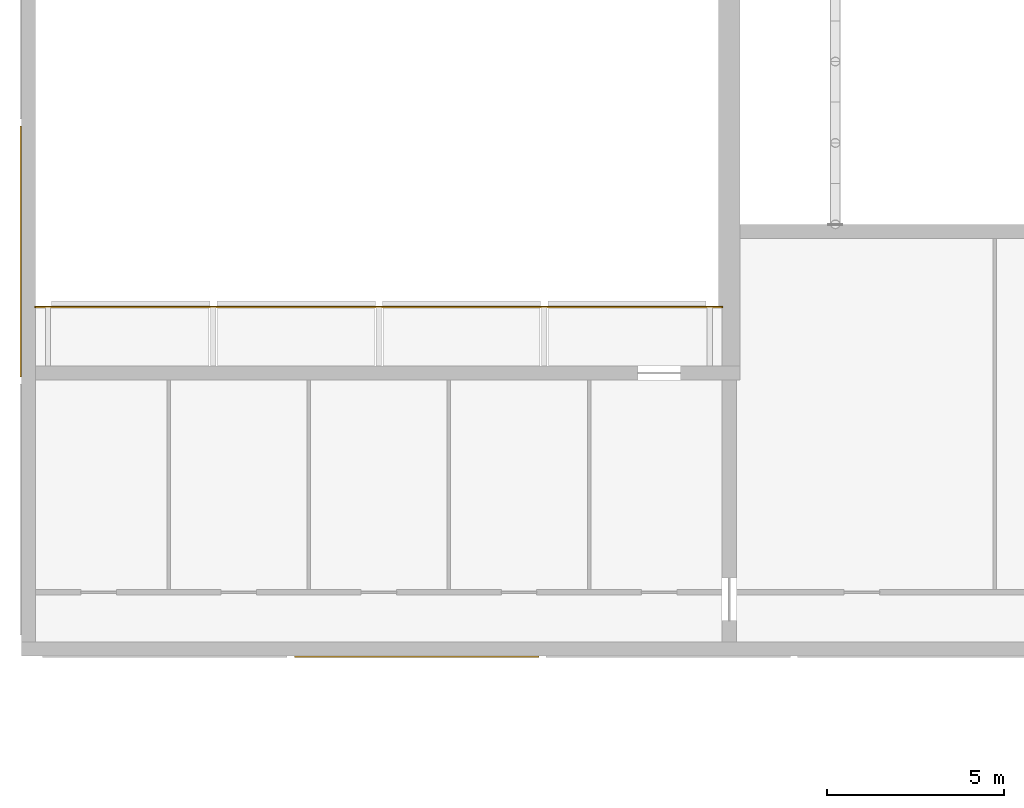
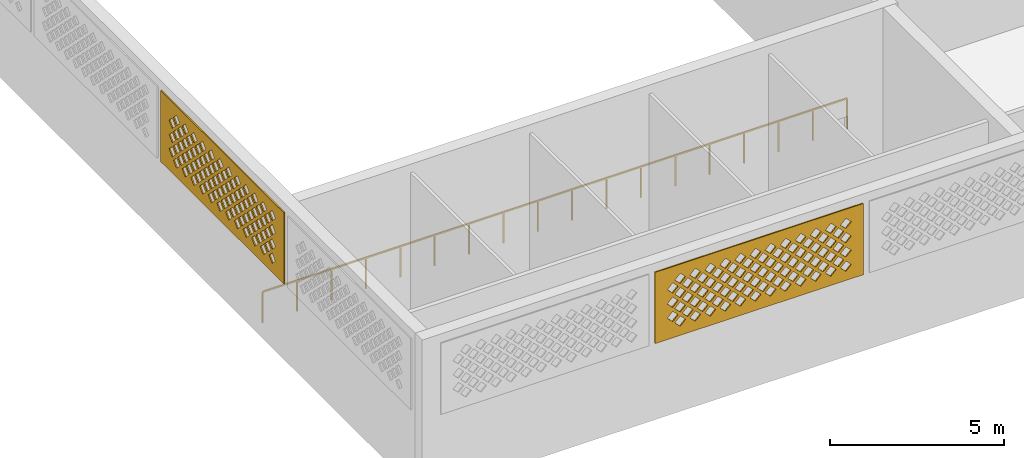
# One storey, part 25 of 69: 2 coverings, 1 railing.
"""IFC4 building model written with IfcOpenShell, lengths in metres."""

import ifcopenshell
import ifcopenshell.guid

model = None  # the IFC model being written
_history = None  # IfcOwnerHistory: only IFC2X3 demands one
_inside = {}  # id of a spatial element -> (the spatial element, [elements in it])
_under = {}  # id of a project, library or spatial element -> (it, [spatial elements below it])
_declared = {}  # id of a project -> (the project, [libraries it declares])
_typed = {}  # id of a type object -> (the type object, [elements of that type])
_made_of = {}  # id of a material, layer set ... -> (it, [elements and type objects made of it])


def new_model(schema):
    """Start an empty IFC model of exactly this schema.

    Asked for "IFC4X3", IfcOpenShell would pick the latest addendum, in which some entities
    have other attributes; the version numbers below select the first issue.
    IFC2X3 requires an IfcOwnerHistory on every rooted entity: one is made here for all.
    """
    global model, _history
    if schema == "IFC4X3":
        model = ifcopenshell.file(schema_version=(4, 3, 0, 0))
    else:
        model = ifcopenshell.file(schema=schema)
    _inside.clear()
    _under.clear()
    _declared.clear()
    _typed.clear()
    _made_of.clear()
    _history = None
    if model.schema == "IFC2X3":
        org = make("IfcOrganization", Name="unknown")
        user = make(
            "IfcPersonAndOrganization",
            ThePerson=make("IfcPerson", FamilyName="unknown"),
            TheOrganization=org,
        )
        app = make(
            "IfcApplication",
            ApplicationDeveloper=org,
            Version="unknown",
            ApplicationFullName="unknown",
            ApplicationIdentifier="unknown",
        )
        _history = make(
            "IfcOwnerHistory",
            OwningUser=user,
            OwningApplication=app,
            ChangeAction="ADDED",
            CreationDate=0,
        )
    return model


def make(cls, **values):
    """One entity of the class cls with the attributes given. An attribute that is None is left unset."""
    return model.create_entity(
        cls, **{name: value for name, value in values.items() if value is not None}
    )


def rooted(cls, **values):
    """An entity with a GlobalId (a new one), such as an element, a storey or a relation."""
    return make(cls, GlobalId=ifcopenshell.guid.new(), OwnerHistory=_history, **values)


def si_unit(unit_type, name, prefix=None):
    """IfcSIUnit, for example si_unit("LENGTHUNIT", "METRE", prefix="MILLI")."""
    return make("IfcSIUnit", UnitType=unit_type, Prefix=prefix, Name=name)


def assignment(units):
    """IfcUnitAssignment: the units of a project."""
    return None if units is None else make("IfcUnitAssignment", Units=units)


def point(xyz):
    """IfcCartesianPoint."""
    return None if xyz is None else make("IfcCartesianPoint", Coordinates=xyz)


def direction(xyz):
    """IfcDirection."""
    return None if xyz is None else make("IfcDirection", DirectionRatios=xyz)


def frame(location, z_axis=None, x_axis=None):
    """IfcAxis2Placement3D, a coordinate frame: its origin and axes. An axis left out is left unset."""
    return make(
        "IfcAxis2Placement3D",
        Location=point(location),
        Axis=direction(z_axis),
        RefDirection=direction(x_axis),
    )


def frame_2d(location, x_axis=None):
    """IfcAxis2Placement2D, a coordinate frame in the plane: its origin and x axis."""
    return make(
        "IfcAxis2Placement2D", Location=point(location), RefDirection=direction(x_axis)
    )


def origin():
    """The frame at (0, 0, 0) with its axes left unset."""
    return frame((0.0, 0.0, 0.0))


def origin_2d():
    """The frame at (0, 0) in the plane with its x axis left unset."""
    return frame_2d((0.0, 0.0))


def place(relative_to, where):
    """IfcLocalPlacement: puts the frame where relative to a parent placement (None: the world)."""
    return make(
        "IfcLocalPlacement", PlacementRelTo=relative_to, RelativePlacement=where
    )


def context(
    kind, dimensions, precision=None, world=None, true_north=None, identifier=None
):
    """IfcGeometricRepresentationContext, for example the 3D "Model" context."""
    return make(
        "IfcGeometricRepresentationContext",
        ContextIdentifier=identifier,
        ContextType=kind,
        CoordinateSpaceDimension=dimensions,
        Precision=precision,
        WorldCoordinateSystem=world,
        TrueNorth=true_north,
    )


def subcontext(parent, identifier, kind, view, scale=None):
    """IfcGeometricRepresentationSubContext, for example "Body" below "Model"."""
    return make(
        "IfcGeometricRepresentationSubContext",
        ContextIdentifier=identifier,
        ContextType=kind,
        ParentContext=parent,
        TargetScale=scale,
        TargetView=view,
    )


def project(units=None, contexts=None):
    """IfcProject with its units and contexts."""
    return rooted(
        "IfcProject",
        Name="project",
        RepresentationContexts=contexts,
        UnitsInContext=assignment(units),
    )


def spatial(cls, under=None, at=None, **own):
    """A site, building, storey or space (cls), placed at a placement, below another one or the project."""
    s = rooted(cls, ObjectPlacement=at, **own)
    if under is not None:
        _under.setdefault(under.id(), (under, []))[1].append(s)
    return s


def polyline(points):
    """IfcPolyline through the points."""
    return make("IfcPolyline", Points=[point(p) for p in points])


def profile(cls, at=None, kind="AREA", **sizes):
    """A parametric profile (cls). Its sizes go by their IFC names, for example OverallWidth=200.0."""
    return make(cls, ProfileType=kind, Position=at, **sizes)


def rectangle(**sizes):
    """IfcRectangleProfileDef."""
    return profile("IfcRectangleProfileDef", **sizes)


def outline(outer, holes=None, kind="AREA"):
    """IfcArbitraryClosedProfileDef: a profile drawn as a closed curve; with holes, ...WithVoids."""
    if holes is None:
        return make("IfcArbitraryClosedProfileDef", ProfileType=kind, OuterCurve=outer)
    return make(
        "IfcArbitraryProfileDefWithVoids",
        ProfileType=kind,
        OuterCurve=outer,
        InnerCurves=holes,
    )


def extrude(swept, where, along, depth):
    """IfcExtrudedAreaSolid: the profile swept, set in the frame where, extruded along a direction by depth."""
    return make(
        "IfcExtrudedAreaSolid",
        SweptArea=swept,
        Position=where,
        ExtrudedDirection=direction(along),
        Depth=depth,
    )


def shape(context_of_items, identifier, shape_type, items):
    """IfcShapeRepresentation: the items that make up one representation, for example the "Body"."""
    return make(
        "IfcShapeRepresentation",
        ContextOfItems=context_of_items,
        RepresentationIdentifier=identifier,
        RepresentationType=shape_type,
        Items=items,
    )


def material(Name=None, Category=None):
    """IfcMaterial."""
    return make("IfcMaterial", Name=Name, Category=Category)


def layer(
    of_material, thickness, ventilated=None, Name=None, Category=None, Priority=None
):
    """IfcMaterialLayer: one layer of a wall or slab, of a material (None: an air gap)."""
    return make(
        "IfcMaterialLayer",
        Material=of_material,
        LayerThickness=thickness,
        IsVentilated=ventilated,
        Name=Name,
        Category=Category,
        Priority=Priority,
    )


def layer_set(layers, Name=None):
    """IfcMaterialLayerSet."""
    return make("IfcMaterialLayerSet", MaterialLayers=layers, LayerSetName=Name)


def made_of(thing, what):
    """Note that an element or type object is made of a material, layer set ...; save() writes the relation."""
    if what is not None:
        _made_of.setdefault(what.id(), (what, []))[1].append(thing)
    return thing


def type_object(cls, material=None, **own):
    """A type object (cls), such as IfcWallType, which elements share."""
    return made_of(rooted(cls, **own), material)


def element(
    cls,
    number,
    at=None,
    inside=None,
    cuts=None,
    type_object=None,
    material=None,
    context=None,
    identifier="Body",
    shape_type=None,
    held_by="IfcProductDefinitionShape",
    body=None,
    shapes=None,
    **own,
):
    """One element of the class cls, such as IfcWall. Its Tag is "e" and its number.

    at: its placement. inside: the storey or other place that contains it. cuts: it is an
    opening in that element (IfcRelVoidsElement). A single representation is given by context,
    identifier, shape_type and body (its items); several are given by shapes. held_by: the class
    of the entity that holds the representations. save() writes the other relations.
    """
    e = rooted(cls, Tag="e%d" % number, ObjectPlacement=at, **own)
    if body is not None:
        shapes = [shape(context, identifier, shape_type, body)]
    if shapes is not None:
        e.Representation = make(held_by, Representations=shapes)
    if inside is not None:
        _inside.setdefault(inside.id(), (inside, []))[1].append(e)
    if cuts is not None:
        rooted(
            "IfcRelVoidsElement", RelatingBuildingElement=cuts, RelatedOpeningElement=e
        )
    if type_object is not None:
        _typed.setdefault(type_object.id(), (type_object, []))[1].append(e)
    return made_of(e, material)


def aggregate(whole, parts):
    """IfcRelAggregates: a whole, such as a stair, and the parts it consists of."""
    return rooted("IfcRelAggregates", RelatingObject=whole, RelatedObjects=parts)


def save(model, path):
    """Write the relations noted so far, then the file.

    IfcRelAggregates (storeys below a building ...), IfcRelContainedInSpatialStructure (elements
    in a storey), IfcRelDefinesByType, IfcRelAssociatesMaterial and IfcRelDeclares: one each for
    every whole, place, type object, material and project.
    """
    for whole, parts in _under.values():
        aggregate(whole, parts)
    for where, things in _inside.values():
        rooted(
            "IfcRelContainedInSpatialStructure",
            RelatedElements=things,
            RelatingStructure=where,
        )
    for kind, things in _typed.values():
        rooted("IfcRelDefinesByType", RelatedObjects=things, RelatingType=kind)
    for what, things in _made_of.values():
        rooted("IfcRelAssociatesMaterial", RelatedObjects=things, RelatingMaterial=what)
    for by, libraries in _declared.values():
        rooted("IfcRelDeclares", RelatingContext=by, RelatedDefinitions=libraries)
    model.write(path)


model = new_model("IFC4")

# Units and contexts
model_context = context("Model", 3, precision=1e-05, world=origin(), true_north=direction((0.0, 1.0)))
body_context = subcontext(model_context, "Body", "Model", "MODEL_VIEW")
ifc_project = project(units=[si_unit("LENGTHUNIT", "METRE"), si_unit("AREAUNIT", "SQUARE_METRE"), si_unit("VOLUMEUNIT", "CUBIC_METRE"), si_unit("PLANEANGLEUNIT", "RADIAN"), si_unit("MASSUNIT", "GRAM", prefix="KILO")], contexts=[model_context])

# Site, building, storey
site_placement = place(None, origin())
site = spatial("IfcSite", under=ifc_project, at=site_placement, CompositionType="ELEMENT")
building_placement = place(site_placement, origin())
building = spatial("IfcBuilding", under=site, at=building_placement, Name="Noorbagh Ring Tower", CompositionType="ELEMENT")
storey_placement = place(building_placement, frame((0.0, 0.0, 19.5)))
storey = spatial("IfcBuildingStorey", under=building, at=storey_placement, Name="L03", CompositionType="ELEMENT", Elevation=19.5)

# Coverings
ifc_material_1 = material(Name="Red sandstone jali", Category="masonry")
ifc_layer = layer(ifc_material_1, 0.0400390625)
ifc_layer_set = layer_set([ifc_layer], Name="Red sandstone jali")
covering_type = type_object("IfcCoveringType", Name="STH-BAND", PredefinedType="USERDEFINED", material=ifc_layer_set)
covering_1_placement = place(storey_placement, frame((-152.288818359375, -21.0400390625, 2.699951171875), z_axis=(0.0, -1.0, 0.0), x_axis=(1.0, 0.0, 0.0)))
element("IfcCovering", 1, at=covering_1_placement, inside=storey, type_object=covering_type, Name="Jali band", ObjectType="JALI SCREEN", PredefinedType="USERDEFINED", context=body_context, shape_type="SweptSolid", body=[
    extrude(outline(polyline([(0.0, 0.0), (6.9111328125, 0.0), (6.9111328125, 2.5), (0.0, 2.5), (0.0, 0.0)]), holes=[polyline([(0.650634765625, 0.5), (0.83056640625, 0.320068359375), (1.010498046875, 0.5), (0.83056640625, 0.679931640625), (0.650634765625, 0.5)]), polyline([(1.150634765625, 0.5), (1.33056640625, 0.320068359375), (1.510498046875, 0.5), (1.33056640625, 0.679931640625), (1.150634765625, 0.5)]), polyline([(1.650634765625, 0.5), (1.83056640625, 0.320068359375), (2.010498046875, 0.5), (1.83056640625, 0.679931640625), (1.650634765625, 0.5)]), polyline([(2.150634765625, 0.5), (2.33056640625, 0.320068359375), (2.510498046875, 0.5), (2.33056640625, 0.679931640625), (2.150634765625, 0.5)]), polyline([(2.650634765625, 0.5), (2.83056640625, 0.320068359375), (3.010498046875, 0.5), (2.83056640625, 0.679931640625), (2.650634765625, 0.5)]), polyline([(3.150634765625, 0.5), (3.33056640625, 0.320068359375), (3.510498046875, 0.5), (3.33056640625, 0.679931640625), (3.150634765625, 0.5)]), polyline([(3.650634765625, 0.5), (3.83056640625, 0.320068359375), (4.010498046875, 0.5), (3.83056640625, 0.679931640625), (3.650634765625, 0.5)]), polyline([(4.150634765625, 0.5), (4.33056640625, 0.320068359375), (4.510498046875, 0.5), (4.33056640625, 0.679931640625), (4.150634765625, 0.5)]), polyline([(4.650634765625, 0.5), (4.83056640625, 0.320068359375), (5.010498046875, 0.5), (4.83056640625, 0.679931640625), (4.650634765625, 0.5)]), polyline([(5.150634765625, 0.5), (5.33056640625, 0.320068359375), (5.510498046875, 0.5), (5.33056640625, 0.679931640625), (5.150634765625, 0.5)]), polyline([(5.650634765625, 0.5), (5.83056640625, 0.320068359375), (6.010498046875, 0.5), (5.83056640625, 0.679931640625), (5.650634765625, 0.5)]), polyline([(6.150634765625, 0.5), (6.33056640625, 0.320068359375), (6.510498046875, 0.5), (6.33056640625, 0.679931640625), (6.150634765625, 0.5)]), polyline([(0.400634765625, 0.75), (0.58056640625, 0.570068359375), (0.760498046875, 0.75), (0.58056640625, 0.929931640625), (0.400634765625, 0.75)]), polyline([(0.900634765625, 0.75), (1.08056640625, 0.570068359375), (1.260498046875, 0.75), (1.08056640625, 0.929931640625), (0.900634765625, 0.75)]), polyline([(1.400634765625, 0.75), (1.58056640625, 0.570068359375), (1.760498046875, 0.75), (1.58056640625, 0.929931640625), (1.400634765625, 0.75)]), polyline([(1.900634765625, 0.75), (2.08056640625, 0.570068359375), (2.260498046875, 0.75), (2.08056640625, 0.929931640625), (1.900634765625, 0.75)]), polyline([(2.400634765625, 0.75), (2.58056640625, 0.570068359375), (2.760498046875, 0.75), (2.58056640625, 0.929931640625), (2.400634765625, 0.75)]), polyline([(2.900634765625, 0.75), (3.08056640625, 0.570068359375), (3.260498046875, 0.75), (3.08056640625, 0.929931640625), (2.900634765625, 0.75)]), polyline([(3.400634765625, 0.75), (3.58056640625, 0.570068359375), (3.760498046875, 0.75), (3.58056640625, 0.929931640625), (3.400634765625, 0.75)]), polyline([(3.900634765625, 0.75), (4.08056640625, 0.570068359375), (4.260498046875, 0.75), (4.08056640625, 0.929931640625), (3.900634765625, 0.75)]), polyline([(4.400634765625, 0.75), (4.58056640625, 0.570068359375), (4.760498046875, 0.75), (4.58056640625, 0.929931640625), (4.400634765625, 0.75)]), polyline([(4.900634765625, 0.75), (5.08056640625, 0.570068359375), (5.260498046875, 0.75), (5.08056640625, 0.929931640625), (4.900634765625, 0.75)]), polyline([(5.400634765625, 0.75), (5.58056640625, 0.570068359375), (5.760498046875, 0.75), (5.58056640625, 0.929931640625), (5.400634765625, 0.75)]), polyline([(5.900634765625, 0.75), (6.08056640625, 0.570068359375), (6.260498046875, 0.75), (6.08056640625, 0.929931640625), (5.900634765625, 0.75)]), polyline([(0.650634765625, 1.0), (0.83056640625, 0.820068359375), (1.010498046875, 1.0), (0.83056640625, 1.179931640625), (0.650634765625, 1.0)]), polyline([(1.150634765625, 1.0), (1.33056640625, 0.820068359375), (1.510498046875, 1.0), (1.33056640625, 1.179931640625), (1.150634765625, 1.0)]), polyline([(1.650634765625, 1.0), (1.83056640625, 0.820068359375), (2.010498046875, 1.0), (1.83056640625, 1.179931640625), (1.650634765625, 1.0)]), polyline([(2.150634765625, 1.0), (2.33056640625, 0.820068359375), (2.510498046875, 1.0), (2.33056640625, 1.179931640625), (2.150634765625, 1.0)]), polyline([(2.650634765625, 1.0), (2.83056640625, 0.820068359375), (3.010498046875, 1.0), (2.83056640625, 1.179931640625), (2.650634765625, 1.0)]), polyline([(3.150634765625, 1.0), (3.33056640625, 0.820068359375), (3.510498046875, 1.0), (3.33056640625, 1.179931640625), (3.150634765625, 1.0)]), polyline([(3.650634765625, 1.0), (3.83056640625, 0.820068359375), (4.010498046875, 1.0), (3.83056640625, 1.179931640625), (3.650634765625, 1.0)]), polyline([(4.150634765625, 1.0), (4.33056640625, 0.820068359375), (4.510498046875, 1.0), (4.33056640625, 1.179931640625), (4.150634765625, 1.0)]), polyline([(4.650634765625, 1.0), (4.83056640625, 0.820068359375), (5.010498046875, 1.0), (4.83056640625, 1.179931640625), (4.650634765625, 1.0)]), polyline([(5.150634765625, 1.0), (5.33056640625, 0.820068359375), (5.510498046875, 1.0), (5.33056640625, 1.179931640625), (5.150634765625, 1.0)]), polyline([(5.650634765625, 1.0), (5.83056640625, 0.820068359375), (6.010498046875, 1.0), (5.83056640625, 1.179931640625), (5.650634765625, 1.0)]), polyline([(6.150634765625, 1.0), (6.33056640625, 0.820068359375), (6.510498046875, 1.0), (6.33056640625, 1.179931640625), (6.150634765625, 1.0)]), polyline([(0.400634765625, 1.25), (0.58056640625, 1.070068359375), (0.760498046875, 1.25), (0.58056640625, 1.429931640625), (0.400634765625, 1.25)]), polyline([(0.900634765625, 1.25), (1.08056640625, 1.070068359375), (1.260498046875, 1.25), (1.08056640625, 1.429931640625), (0.900634765625, 1.25)]), polyline([(1.400634765625, 1.25), (1.58056640625, 1.070068359375), (1.760498046875, 1.25), (1.58056640625, 1.429931640625), (1.400634765625, 1.25)]), polyline([(1.900634765625, 1.25), (2.08056640625, 1.070068359375), (2.260498046875, 1.25), (2.08056640625, 1.429931640625), (1.900634765625, 1.25)]), polyline([(2.400634765625, 1.25), (2.58056640625, 1.070068359375), (2.760498046875, 1.25), (2.58056640625, 1.429931640625), (2.400634765625, 1.25)]), polyline([(2.900634765625, 1.25), (3.08056640625, 1.070068359375), (3.260498046875, 1.25), (3.08056640625, 1.429931640625), (2.900634765625, 1.25)]), polyline([(3.400634765625, 1.25), (3.58056640625, 1.070068359375), (3.760498046875, 1.25), (3.58056640625, 1.429931640625), (3.400634765625, 1.25)]), polyline([(3.900634765625, 1.25), (4.08056640625, 1.070068359375), (4.260498046875, 1.25), (4.08056640625, 1.429931640625), (3.900634765625, 1.25)]), polyline([(4.400634765625, 1.25), (4.58056640625, 1.070068359375), (4.760498046875, 1.25), (4.58056640625, 1.429931640625), (4.400634765625, 1.25)]), polyline([(4.900634765625, 1.25), (5.08056640625, 1.070068359375), (5.260498046875, 1.25), (5.08056640625, 1.429931640625), (4.900634765625, 1.25)]), polyline([(5.400634765625, 1.25), (5.58056640625, 1.070068359375), (5.760498046875, 1.25), (5.58056640625, 1.429931640625), (5.400634765625, 1.25)]), polyline([(5.900634765625, 1.25), (6.08056640625, 1.070068359375), (6.260498046875, 1.25), (6.08056640625, 1.429931640625), (5.900634765625, 1.25)]), polyline([(0.650634765625, 1.5), (0.83056640625, 1.320068359375), (1.010498046875, 1.5), (0.83056640625, 1.679931640625), (0.650634765625, 1.5)]), polyline([(1.150634765625, 1.5), (1.33056640625, 1.320068359375), (1.510498046875, 1.5), (1.33056640625, 1.679931640625), (1.150634765625, 1.5)]), polyline([(1.650634765625, 1.5), (1.83056640625, 1.320068359375), (2.010498046875, 1.5), (1.83056640625, 1.679931640625), (1.650634765625, 1.5)]), polyline([(2.150634765625, 1.5), (2.33056640625, 1.320068359375), (2.510498046875, 1.5), (2.33056640625, 1.679931640625), (2.150634765625, 1.5)]), polyline([(2.650634765625, 1.5), (2.83056640625, 1.320068359375), (3.010498046875, 1.5), (2.83056640625, 1.679931640625), (2.650634765625, 1.5)]), polyline([(3.150634765625, 1.5), (3.33056640625, 1.320068359375), (3.510498046875, 1.5), (3.33056640625, 1.679931640625), (3.150634765625, 1.5)]), polyline([(3.650634765625, 1.5), (3.83056640625, 1.320068359375), (4.010498046875, 1.5), (3.83056640625, 1.679931640625), (3.650634765625, 1.5)]), polyline([(4.150634765625, 1.5), (4.33056640625, 1.320068359375), (4.510498046875, 1.5), (4.33056640625, 1.679931640625), (4.150634765625, 1.5)]), polyline([(4.650634765625, 1.5), (4.83056640625, 1.320068359375), (5.010498046875, 1.5), (4.83056640625, 1.679931640625), (4.650634765625, 1.5)]), polyline([(5.150634765625, 1.5), (5.33056640625, 1.320068359375), (5.510498046875, 1.5), (5.33056640625, 1.679931640625), (5.150634765625, 1.5)]), polyline([(5.650634765625, 1.5), (5.83056640625, 1.320068359375), (6.010498046875, 1.5), (5.83056640625, 1.679931640625), (5.650634765625, 1.5)]), polyline([(6.150634765625, 1.5), (6.33056640625, 1.320068359375), (6.510498046875, 1.5), (6.33056640625, 1.679931640625), (6.150634765625, 1.5)]), polyline([(0.400634765625, 1.75), (0.58056640625, 1.570068359375), (0.760498046875, 1.75), (0.58056640625, 1.929931640625), (0.400634765625, 1.75)]), polyline([(0.900634765625, 1.75), (1.08056640625, 1.570068359375), (1.260498046875, 1.75), (1.08056640625, 1.929931640625), (0.900634765625, 1.75)]), polyline([(1.400634765625, 1.75), (1.58056640625, 1.570068359375), (1.760498046875, 1.75), (1.58056640625, 1.929931640625), (1.400634765625, 1.75)]), polyline([(1.900634765625, 1.75), (2.08056640625, 1.570068359375), (2.260498046875, 1.75), (2.08056640625, 1.929931640625), (1.900634765625, 1.75)]), polyline([(2.400634765625, 1.75), (2.58056640625, 1.570068359375), (2.760498046875, 1.75), (2.58056640625, 1.929931640625), (2.400634765625, 1.75)]), polyline([(2.900634765625, 1.75), (3.08056640625, 1.570068359375), (3.260498046875, 1.75), (3.08056640625, 1.929931640625), (2.900634765625, 1.75)]), polyline([(3.400634765625, 1.75), (3.58056640625, 1.570068359375), (3.760498046875, 1.75), (3.58056640625, 1.929931640625), (3.400634765625, 1.75)]), polyline([(3.900634765625, 1.75), (4.08056640625, 1.570068359375), (4.260498046875, 1.75), (4.08056640625, 1.929931640625), (3.900634765625, 1.75)]), polyline([(4.400634765625, 1.75), (4.58056640625, 1.570068359375), (4.760498046875, 1.75), (4.58056640625, 1.929931640625), (4.400634765625, 1.75)]), polyline([(4.900634765625, 1.75), (5.08056640625, 1.570068359375), (5.260498046875, 1.75), (5.08056640625, 1.929931640625), (4.900634765625, 1.75)]), polyline([(5.400634765625, 1.75), (5.58056640625, 1.570068359375), (5.760498046875, 1.75), (5.58056640625, 1.929931640625), (5.400634765625, 1.75)]), polyline([(5.900634765625, 1.75), (6.08056640625, 1.570068359375), (6.260498046875, 1.75), (6.08056640625, 1.929931640625), (5.900634765625, 1.75)]), polyline([(0.650634765625, 2.0), (0.83056640625, 1.820068359375), (1.010498046875, 2.0), (0.83056640625, 2.179931640625), (0.650634765625, 2.0)]), polyline([(1.150634765625, 2.0), (1.33056640625, 1.820068359375), (1.510498046875, 2.0), (1.33056640625, 2.179931640625), (1.150634765625, 2.0)]), polyline([(1.650634765625, 2.0), (1.83056640625, 1.820068359375), (2.010498046875, 2.0), (1.83056640625, 2.179931640625), (1.650634765625, 2.0)]), polyline([(2.150634765625, 2.0), (2.33056640625, 1.820068359375), (2.510498046875, 2.0), (2.33056640625, 2.179931640625), (2.150634765625, 2.0)]), polyline([(2.650634765625, 2.0), (2.83056640625, 1.820068359375), (3.010498046875, 2.0), (2.83056640625, 2.179931640625), (2.650634765625, 2.0)]), polyline([(3.150634765625, 2.0), (3.33056640625, 1.820068359375), (3.510498046875, 2.0), (3.33056640625, 2.179931640625), (3.150634765625, 2.0)]), polyline([(3.650634765625, 2.0), (3.83056640625, 1.820068359375), (4.010498046875, 2.0), (3.83056640625, 2.179931640625), (3.650634765625, 2.0)]), polyline([(4.150634765625, 2.0), (4.33056640625, 1.820068359375), (4.510498046875, 2.0), (4.33056640625, 2.179931640625), (4.150634765625, 2.0)]), polyline([(4.650634765625, 2.0), (4.83056640625, 1.820068359375), (5.010498046875, 2.0), (4.83056640625, 2.179931640625), (4.650634765625, 2.0)]), polyline([(5.150634765625, 2.0), (5.33056640625, 1.820068359375), (5.510498046875, 2.0), (5.33056640625, 2.179931640625), (5.150634765625, 2.0)]), polyline([(5.650634765625, 2.0), (5.83056640625, 1.820068359375), (6.010498046875, 2.0), (5.83056640625, 2.179931640625), (5.650634765625, 2.0)]), polyline([(6.150634765625, 2.0), (6.33056640625, 1.820068359375), (6.510498046875, 2.0), (6.33056640625, 2.179931640625), (6.150634765625, 2.0)])]), origin(), (0.0, 0.0, -1.0), 0.0400390625),
])
covering_2_placement = place(storey_placement, frame((-160.0400390625, -6.028564453125, 2.699951171875), z_axis=(-1.0, 0.0, 0.0), x_axis=(0.0, -1.0, 0.0)))
element("IfcCovering", 2, at=covering_2_placement, inside=storey, type_object=covering_type, Name="Jali band", ObjectType="JALI SCREEN", PredefinedType="USERDEFINED", context=body_context, shape_type="SweptSolid", body=[
    extrude(outline(polyline([(0.0, 0.0), (7.085693359375, 0.0), (7.085693359375, 2.5), (0.0, 2.5), (0.0, 0.0)]), holes=[polyline([(0.73779296875, 0.5), (0.91796875, 0.320068359375), (1.097900390625, 0.5), (0.91796875, 0.679931640625), (0.73779296875, 0.5)]), polyline([(1.23779296875, 0.5), (1.41796875, 0.320068359375), (1.597900390625, 0.5), (1.41796875, 0.679931640625), (1.23779296875, 0.5)]), polyline([(1.73779296875, 0.5), (1.91796875, 0.320068359375), (2.097900390625, 0.5), (1.91796875, 0.679931640625), (1.73779296875, 0.5)]), polyline([(2.23779296875, 0.5), (2.41796875, 0.320068359375), (2.597900390625, 0.5), (2.41796875, 0.679931640625), (2.23779296875, 0.5)]), polyline([(2.73779296875, 0.5), (2.91796875, 0.320068359375), (3.097900390625, 0.5), (2.91796875, 0.679931640625), (2.73779296875, 0.5)]), polyline([(3.23779296875, 0.5), (3.41796875, 0.320068359375), (3.597900390625, 0.5), (3.41796875, 0.679931640625), (3.23779296875, 0.5)]), polyline([(3.73779296875, 0.5), (3.91796875, 0.320068359375), (4.097900390625, 0.5), (3.91796875, 0.679931640625), (3.73779296875, 0.5)]), polyline([(4.23779296875, 0.5), (4.41796875, 0.320068359375), (4.597900390625, 0.5), (4.41796875, 0.679931640625), (4.23779296875, 0.5)]), polyline([(4.73779296875, 0.5), (4.91796875, 0.320068359375), (5.097900390625, 0.5), (4.91796875, 0.679931640625), (4.73779296875, 0.5)]), polyline([(5.23779296875, 0.5), (5.41796875, 0.320068359375), (5.597900390625, 0.5), (5.41796875, 0.679931640625), (5.23779296875, 0.5)]), polyline([(5.73779296875, 0.5), (5.91796875, 0.320068359375), (6.097900390625, 0.5), (5.91796875, 0.679931640625), (5.73779296875, 0.5)]), polyline([(6.23779296875, 0.5), (6.41796875, 0.320068359375), (6.597900390625, 0.5), (6.41796875, 0.679931640625), (6.23779296875, 0.5)]), polyline([(0.48779296875, 0.75), (0.66796875, 0.570068359375), (0.847900390625, 0.75), (0.66796875, 0.929931640625), (0.48779296875, 0.75)]), polyline([(0.98779296875, 0.75), (1.16796875, 0.570068359375), (1.347900390625, 0.75), (1.16796875, 0.929931640625), (0.98779296875, 0.75)]), polyline([(1.48779296875, 0.75), (1.66796875, 0.570068359375), (1.847900390625, 0.75), (1.66796875, 0.929931640625), (1.48779296875, 0.75)]), polyline([(1.98779296875, 0.75), (2.16796875, 0.570068359375), (2.347900390625, 0.75), (2.16796875, 0.929931640625), (1.98779296875, 0.75)]), polyline([(2.48779296875, 0.75), (2.66796875, 0.570068359375), (2.847900390625, 0.75), (2.66796875, 0.929931640625), (2.48779296875, 0.75)]), polyline([(2.98779296875, 0.75), (3.16796875, 0.570068359375), (3.347900390625, 0.75), (3.16796875, 0.929931640625), (2.98779296875, 0.75)]), polyline([(3.48779296875, 0.75), (3.66796875, 0.570068359375), (3.847900390625, 0.75), (3.66796875, 0.929931640625), (3.48779296875, 0.75)]), polyline([(3.98779296875, 0.75), (4.16796875, 0.570068359375), (4.347900390625, 0.75), (4.16796875, 0.929931640625), (3.98779296875, 0.75)]), polyline([(4.48779296875, 0.75), (4.66796875, 0.570068359375), (4.847900390625, 0.75), (4.66796875, 0.929931640625), (4.48779296875, 0.75)]), polyline([(4.98779296875, 0.75), (5.16796875, 0.570068359375), (5.347900390625, 0.75), (5.16796875, 0.929931640625), (4.98779296875, 0.75)]), polyline([(5.48779296875, 0.75), (5.66796875, 0.570068359375), (5.847900390625, 0.75), (5.66796875, 0.929931640625), (5.48779296875, 0.75)]), polyline([(5.98779296875, 0.75), (6.16796875, 0.570068359375), (6.347900390625, 0.75), (6.16796875, 0.929931640625), (5.98779296875, 0.75)]), polyline([(0.73779296875, 1.0), (0.91796875, 0.820068359375), (1.097900390625, 1.0), (0.91796875, 1.179931640625), (0.73779296875, 1.0)]), polyline([(1.23779296875, 1.0), (1.41796875, 0.820068359375), (1.597900390625, 1.0), (1.41796875, 1.179931640625), (1.23779296875, 1.0)]), polyline([(1.73779296875, 1.0), (1.91796875, 0.820068359375), (2.097900390625, 1.0), (1.91796875, 1.179931640625), (1.73779296875, 1.0)]), polyline([(2.23779296875, 1.0), (2.41796875, 0.820068359375), (2.597900390625, 1.0), (2.41796875, 1.179931640625), (2.23779296875, 1.0)]), polyline([(2.73779296875, 1.0), (2.91796875, 0.820068359375), (3.097900390625, 1.0), (2.91796875, 1.179931640625), (2.73779296875, 1.0)]), polyline([(3.23779296875, 1.0), (3.41796875, 0.820068359375), (3.597900390625, 1.0), (3.41796875, 1.179931640625), (3.23779296875, 1.0)]), polyline([(3.73779296875, 1.0), (3.91796875, 0.820068359375), (4.097900390625, 1.0), (3.91796875, 1.179931640625), (3.73779296875, 1.0)]), polyline([(4.23779296875, 1.0), (4.41796875, 0.820068359375), (4.597900390625, 1.0), (4.41796875, 1.179931640625), (4.23779296875, 1.0)]), polyline([(4.73779296875, 1.0), (4.91796875, 0.820068359375), (5.097900390625, 1.0), (4.91796875, 1.179931640625), (4.73779296875, 1.0)]), polyline([(5.23779296875, 1.0), (5.41796875, 0.820068359375), (5.597900390625, 1.0), (5.41796875, 1.179931640625), (5.23779296875, 1.0)]), polyline([(5.73779296875, 1.0), (5.91796875, 0.820068359375), (6.097900390625, 1.0), (5.91796875, 1.179931640625), (5.73779296875, 1.0)]), polyline([(6.23779296875, 1.0), (6.41796875, 0.820068359375), (6.597900390625, 1.0), (6.41796875, 1.179931640625), (6.23779296875, 1.0)]), polyline([(0.48779296875, 1.25), (0.66796875, 1.070068359375), (0.847900390625, 1.25), (0.66796875, 1.429931640625), (0.48779296875, 1.25)]), polyline([(0.98779296875, 1.25), (1.16796875, 1.070068359375), (1.347900390625, 1.25), (1.16796875, 1.429931640625), (0.98779296875, 1.25)]), polyline([(1.48779296875, 1.25), (1.66796875, 1.070068359375), (1.847900390625, 1.25), (1.66796875, 1.429931640625), (1.48779296875, 1.25)]), polyline([(1.98779296875, 1.25), (2.16796875, 1.070068359375), (2.347900390625, 1.25), (2.16796875, 1.429931640625), (1.98779296875, 1.25)]), polyline([(2.48779296875, 1.25), (2.66796875, 1.070068359375), (2.847900390625, 1.25), (2.66796875, 1.429931640625), (2.48779296875, 1.25)]), polyline([(2.98779296875, 1.25), (3.16796875, 1.070068359375), (3.347900390625, 1.25), (3.16796875, 1.429931640625), (2.98779296875, 1.25)]), polyline([(3.48779296875, 1.25), (3.66796875, 1.070068359375), (3.847900390625, 1.25), (3.66796875, 1.429931640625), (3.48779296875, 1.25)]), polyline([(3.98779296875, 1.25), (4.16796875, 1.070068359375), (4.347900390625, 1.25), (4.16796875, 1.429931640625), (3.98779296875, 1.25)]), polyline([(4.48779296875, 1.25), (4.66796875, 1.070068359375), (4.847900390625, 1.25), (4.66796875, 1.429931640625), (4.48779296875, 1.25)]), polyline([(4.98779296875, 1.25), (5.16796875, 1.070068359375), (5.347900390625, 1.25), (5.16796875, 1.429931640625), (4.98779296875, 1.25)]), polyline([(5.48779296875, 1.25), (5.66796875, 1.070068359375), (5.847900390625, 1.25), (5.66796875, 1.429931640625), (5.48779296875, 1.25)]), polyline([(5.98779296875, 1.25), (6.16796875, 1.070068359375), (6.347900390625, 1.25), (6.16796875, 1.429931640625), (5.98779296875, 1.25)]), polyline([(0.73779296875, 1.5), (0.91796875, 1.320068359375), (1.097900390625, 1.5), (0.91796875, 1.679931640625), (0.73779296875, 1.5)]), polyline([(1.23779296875, 1.5), (1.41796875, 1.320068359375), (1.597900390625, 1.5), (1.41796875, 1.679931640625), (1.23779296875, 1.5)]), polyline([(1.73779296875, 1.5), (1.91796875, 1.320068359375), (2.097900390625, 1.5), (1.91796875, 1.679931640625), (1.73779296875, 1.5)]), polyline([(2.23779296875, 1.5), (2.41796875, 1.320068359375), (2.597900390625, 1.5), (2.41796875, 1.679931640625), (2.23779296875, 1.5)]), polyline([(2.73779296875, 1.5), (2.91796875, 1.320068359375), (3.097900390625, 1.5), (2.91796875, 1.679931640625), (2.73779296875, 1.5)]), polyline([(3.23779296875, 1.5), (3.41796875, 1.320068359375), (3.597900390625, 1.5), (3.41796875, 1.679931640625), (3.23779296875, 1.5)]), polyline([(3.73779296875, 1.5), (3.91796875, 1.320068359375), (4.097900390625, 1.5), (3.91796875, 1.679931640625), (3.73779296875, 1.5)]), polyline([(4.23779296875, 1.5), (4.41796875, 1.320068359375), (4.597900390625, 1.5), (4.41796875, 1.679931640625), (4.23779296875, 1.5)]), polyline([(4.73779296875, 1.5), (4.91796875, 1.320068359375), (5.097900390625, 1.5), (4.91796875, 1.679931640625), (4.73779296875, 1.5)]), polyline([(5.23779296875, 1.5), (5.41796875, 1.320068359375), (5.597900390625, 1.5), (5.41796875, 1.679931640625), (5.23779296875, 1.5)]), polyline([(5.73779296875, 1.5), (5.91796875, 1.320068359375), (6.097900390625, 1.5), (5.91796875, 1.679931640625), (5.73779296875, 1.5)]), polyline([(6.23779296875, 1.5), (6.41796875, 1.320068359375), (6.597900390625, 1.5), (6.41796875, 1.679931640625), (6.23779296875, 1.5)]), polyline([(0.48779296875, 1.75), (0.66796875, 1.570068359375), (0.847900390625, 1.75), (0.66796875, 1.929931640625), (0.48779296875, 1.75)]), polyline([(0.98779296875, 1.75), (1.16796875, 1.570068359375), (1.347900390625, 1.75), (1.16796875, 1.929931640625), (0.98779296875, 1.75)]), polyline([(1.48779296875, 1.75), (1.66796875, 1.570068359375), (1.847900390625, 1.75), (1.66796875, 1.929931640625), (1.48779296875, 1.75)]), polyline([(1.98779296875, 1.75), (2.16796875, 1.570068359375), (2.347900390625, 1.75), (2.16796875, 1.929931640625), (1.98779296875, 1.75)]), polyline([(2.48779296875, 1.75), (2.66796875, 1.570068359375), (2.847900390625, 1.75), (2.66796875, 1.929931640625), (2.48779296875, 1.75)]), polyline([(2.98779296875, 1.75), (3.16796875, 1.570068359375), (3.347900390625, 1.75), (3.16796875, 1.929931640625), (2.98779296875, 1.75)]), polyline([(3.48779296875, 1.75), (3.66796875, 1.570068359375), (3.847900390625, 1.75), (3.66796875, 1.929931640625), (3.48779296875, 1.75)]), polyline([(3.98779296875, 1.75), (4.16796875, 1.570068359375), (4.347900390625, 1.75), (4.16796875, 1.929931640625), (3.98779296875, 1.75)]), polyline([(4.48779296875, 1.75), (4.66796875, 1.570068359375), (4.847900390625, 1.75), (4.66796875, 1.929931640625), (4.48779296875, 1.75)]), polyline([(4.98779296875, 1.75), (5.16796875, 1.570068359375), (5.347900390625, 1.75), (5.16796875, 1.929931640625), (4.98779296875, 1.75)]), polyline([(5.48779296875, 1.75), (5.66796875, 1.570068359375), (5.847900390625, 1.75), (5.66796875, 1.929931640625), (5.48779296875, 1.75)]), polyline([(5.98779296875, 1.75), (6.16796875, 1.570068359375), (6.347900390625, 1.75), (6.16796875, 1.929931640625), (5.98779296875, 1.75)]), polyline([(0.73779296875, 2.0), (0.91796875, 1.820068359375), (1.097900390625, 2.0), (0.91796875, 2.179931640625), (0.73779296875, 2.0)]), polyline([(1.23779296875, 2.0), (1.41796875, 1.820068359375), (1.597900390625, 2.0), (1.41796875, 2.179931640625), (1.23779296875, 2.0)]), polyline([(1.73779296875, 2.0), (1.91796875, 1.820068359375), (2.097900390625, 2.0), (1.91796875, 2.179931640625), (1.73779296875, 2.0)]), polyline([(2.23779296875, 2.0), (2.41796875, 1.820068359375), (2.597900390625, 2.0), (2.41796875, 2.179931640625), (2.23779296875, 2.0)]), polyline([(2.73779296875, 2.0), (2.91796875, 1.820068359375), (3.097900390625, 2.0), (2.91796875, 2.179931640625), (2.73779296875, 2.0)]), polyline([(3.23779296875, 2.0), (3.41796875, 1.820068359375), (3.597900390625, 2.0), (3.41796875, 2.179931640625), (3.23779296875, 2.0)]), polyline([(3.73779296875, 2.0), (3.91796875, 1.820068359375), (4.097900390625, 2.0), (3.91796875, 2.179931640625), (3.73779296875, 2.0)]), polyline([(4.23779296875, 2.0), (4.41796875, 1.820068359375), (4.597900390625, 2.0), (4.41796875, 2.179931640625), (4.23779296875, 2.0)]), polyline([(4.73779296875, 2.0), (4.91796875, 1.820068359375), (5.097900390625, 2.0), (4.91796875, 2.179931640625), (4.73779296875, 2.0)]), polyline([(5.23779296875, 2.0), (5.41796875, 1.820068359375), (5.597900390625, 2.0), (5.41796875, 2.179931640625), (5.23779296875, 2.0)]), polyline([(5.73779296875, 2.0), (5.91796875, 1.820068359375), (6.097900390625, 2.0), (5.91796875, 2.179931640625), (5.73779296875, 2.0)]), polyline([(6.23779296875, 2.0), (6.41796875, 1.820068359375), (6.597900390625, 2.0), (6.41796875, 2.179931640625), (6.23779296875, 2.0)])]), origin(), (0.0, 0.0, -1.0), 0.0400390625),
])

# Railing
ifc_material_2 = material(Name="Stainless steel", Category="steel")
railing_type = type_object("IfcRailingType", Name="TH-GUARD", PredefinedType="GUARDRAIL", material=ifc_material_2)
railing_placement = place(storey_placement, frame((-159.60009765625, -11.139892578125, 0.0)))
element("IfcRailing", 3, at=railing_placement, inside=storey, type_object=railing_type, Name="Fly gallery guard S", PredefinedType="GUARDRAIL", context=body_context, shape_type="SweptSolid", body=[
    extrude(rectangle(XDim=0.048095703125, YDim=0.048095703125, at=origin_2d()), frame((0.0, 0.0, 1.076171875), z_axis=(1.0, 0.0, 0.0), x_axis=(0.0, 1.0, 0.0)), (0.0, 0.0, 1.0), 19.400146484375),
    extrude(rectangle(XDim=0.0419921875, YDim=0.0419921875, at=origin_2d()), origin(), (0.0, 0.0, 1.0), 1.052001953125),
    extrude(rectangle(XDim=0.0419921875, YDim=0.0419921875, at=origin_2d()), frame((1.14111328125, 0.0, 0.0)), (0.0, 0.0, 1.0), 1.052001953125),
    extrude(rectangle(XDim=0.0419921875, YDim=0.0419921875, at=origin_2d()), frame((2.282470703125, 0.0, 0.0)), (0.0, 0.0, 1.0), 1.052001953125),
    extrude(rectangle(XDim=0.0419921875, YDim=0.0419921875, at=origin_2d()), frame((3.423583984375, 0.0, 0.0)), (0.0, 0.0, 1.0), 1.052001953125),
    extrude(rectangle(XDim=0.0419921875, YDim=0.0419921875, at=origin_2d()), frame((4.564697265625, 0.0, 0.0)), (0.0, 0.0, 1.0), 1.052001953125),
    extrude(rectangle(XDim=0.0419921875, YDim=0.0419921875, at=origin_2d()), frame((5.705810546875, 0.0, 0.0)), (0.0, 0.0, 1.0), 1.052001953125),
    extrude(rectangle(XDim=0.0419921875, YDim=0.0419921875, at=origin_2d()), frame((6.84716796875, 0.0, 0.0)), (0.0, 0.0, 1.0), 1.052001953125),
    extrude(rectangle(XDim=0.0419921875, YDim=0.0419921875, at=origin_2d()), frame((7.98828125, 0.0, 0.0)), (0.0, 0.0, 1.0), 1.052001953125),
    extrude(rectangle(XDim=0.0419921875, YDim=0.0419921875, at=origin_2d()), frame((9.12939453125, 0.0, 0.0)), (0.0, 0.0, 1.0), 1.052001953125),
    extrude(rectangle(XDim=0.0419921875, YDim=0.0419921875, at=origin_2d()), frame((10.270751953125, 0.0, 0.0)), (0.0, 0.0, 1.0), 1.052001953125),
    extrude(rectangle(XDim=0.0419921875, YDim=0.0419921875, at=origin_2d()), frame((11.411865234375, 0.0, 0.0)), (0.0, 0.0, 1.0), 1.052001953125),
    extrude(rectangle(XDim=0.0419921875, YDim=0.0419921875, at=origin_2d()), frame((12.552978515625, 0.0, 0.0)), (0.0, 0.0, 1.0), 1.052001953125),
    extrude(rectangle(XDim=0.0419921875, YDim=0.0419921875, at=origin_2d()), frame((13.6943359375, 0.0, 0.0)), (0.0, 0.0, 1.0), 1.052001953125),
    extrude(rectangle(XDim=0.0419921875, YDim=0.0419921875, at=origin_2d()), frame((14.83544921875, 0.0, 0.0)), (0.0, 0.0, 1.0), 1.052001953125),
    extrude(rectangle(XDim=0.0419921875, YDim=0.0419921875, at=origin_2d()), frame((15.9765625, 0.0, 0.0)), (0.0, 0.0, 1.0), 1.052001953125),
    extrude(rectangle(XDim=0.0419921875, YDim=0.0419921875, at=origin_2d()), frame((17.11767578125, 0.0, 0.0)), (0.0, 0.0, 1.0), 1.052001953125),
    extrude(rectangle(XDim=0.0419921875, YDim=0.0419921875, at=origin_2d()), frame((18.259033203125, 0.0, 0.0)), (0.0, 0.0, 1.0), 1.052001953125),
    extrude(rectangle(XDim=0.0419921875, YDim=0.0419921875, at=origin_2d()), frame((19.400146484375, 0.0, 0.0)), (0.0, 0.0, 1.0), 1.052001953125),
])

save(model, "model.ifc")
